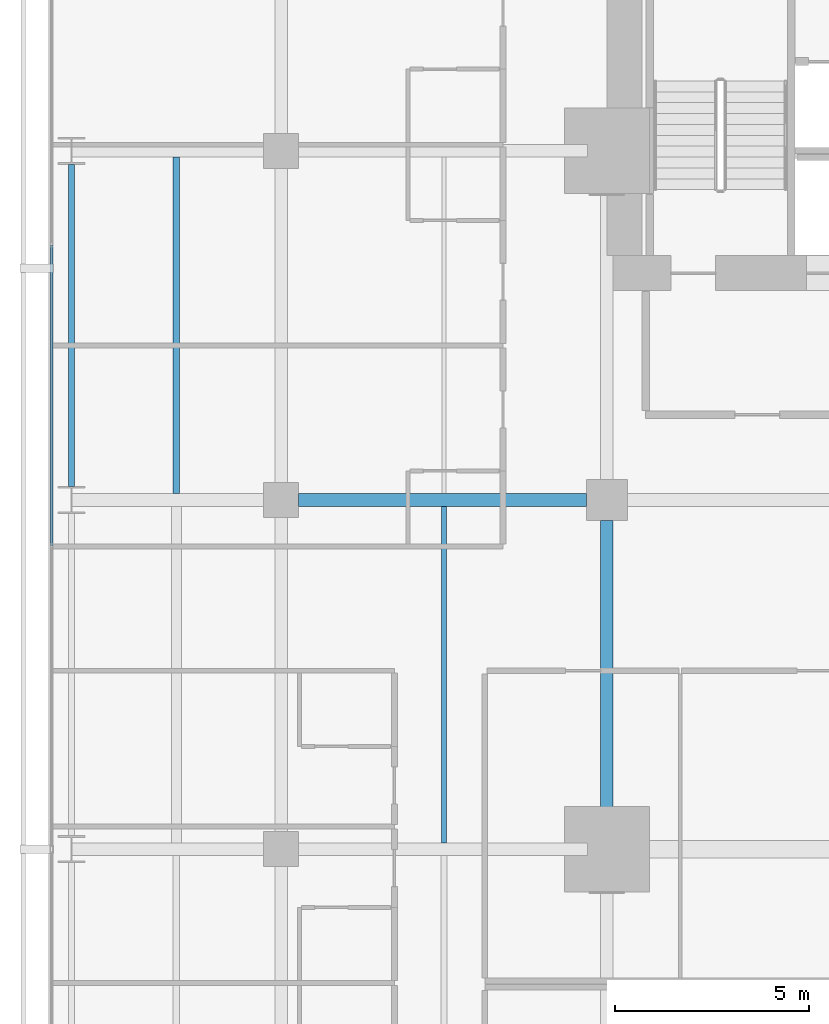
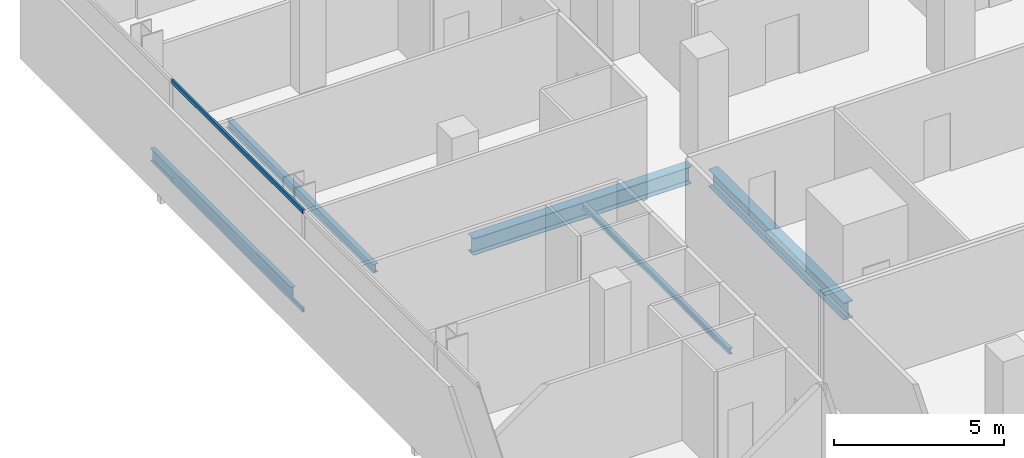
# One storey, part 22 of 41: 5 beams, 2 members, 1 element without a shape of its own.
"""IFC4 building model written with IfcOpenShell, lengths in metres."""

from ifc_helpers import new_model, si_unit, direction, frame, origin, origin_2d, place, context, subcontext, project, spatial, hollow_rectangle, i_section, extrude, material, layer, layer_set, material_profile, profile_set, type_object, element, aggregate, save


model = new_model("IFC4")

# Units and contexts
model_context = context("Model", 3, precision=1e-05, world=origin(), true_north=direction((0.0, 1.0)))
body_context = subcontext(model_context, "Body", "Model", "MODEL_VIEW")
ifc_project = project(units=[si_unit("LENGTHUNIT", "METRE"), si_unit("AREAUNIT", "SQUARE_METRE"), si_unit("VOLUMEUNIT", "CUBIC_METRE"), si_unit("PLANEANGLEUNIT", "RADIAN"), si_unit("MASSUNIT", "GRAM", prefix="KILO")], contexts=[model_context])

# Site, building, storey
site_placement = place(None, origin())
site = spatial("IfcSite", under=ifc_project, at=site_placement, CompositionType="ELEMENT")
building_placement = place(site_placement, origin())
building = spatial("IfcBuilding", under=site, at=building_placement, Name="Maruvema Waterfront Hotel and Observation Tower", CompositionType="ELEMENT")
storey_placement = place(building_placement, frame((0.0, 0.0, 84.699951171875)))
storey = spatial("IfcBuildingStorey", under=building, at=storey_placement, Name="L20", CompositionType="ELEMENT", Elevation=84.699951171875)

# Curtain wall, members
ifc_material_1 = material(Name="Anodised bronze aluminium and solar-control low-E IGU", Category="aluminium")
ifc_layer = layer(ifc_material_1, 0.159912109375, Name="Zone 1 Bronze Inner Thermal Curtain Wall System CW-02")
ifc_layer_set = layer_set([ifc_layer], Name="Anodised bronze aluminium and solar-control low-E IGU")
curtain_wall_type = type_object("IfcCurtainWallType", Name="Zone 1 Bronze Inner Thermal Curtain Wall System CW-02", PredefinedType="USERDEFINED", material=ifc_layer_set)
curtain_wall_placement = place(storey_placement, origin())
curtain_wall = element("IfcCurtainWall", 1, at=curtain_wall_placement, inside=storey, type_object=curtain_wall_type, Name="L20 Curtain Wall CW-L20-W", ObjectType="UNITISED CURTAIN WALL", PredefinedType="USERDEFINED")
ifc_material_2 = material(Name="Anodised architectural bronze aluminium", Category="aluminium")
ifc_material_profile_1 = material_profile(ifc_material_2, hollow_rectangle(XDim=0.070068359375, YDim=0.14990234375, WallThickness=0.00390625, at=origin_2d()), Name="ALU-T70x150")
ifc_profile_set_1 = profile_set([ifc_material_profile_1], Name="Anodised architectural bronze aluminium")
member_type = type_object("IfcMemberType", Name="Curtain Wall Horizontal Transom ALU-T70x150", PredefinedType="USERDEFINED", material=ifc_profile_set_1)
member_1_placement = place(storey_placement, frame((10.8798828125, 42.570068359375, 0.030029296875), z_axis=(0.0, -1.0, 0.0), x_axis=(1.0, 0.0, 0.0)))
member_1 = element("IfcMember", 2, at=member_1_placement, type_object=member_type, Name="CW-02 transom 2.1", ObjectType="TRANSOM", PredefinedType="USERDEFINED", context=body_context, shape_type="SweptSolid", body=[
    extrude(hollow_rectangle(XDim=0.070068359375, YDim=0.14990234375, WallThickness=0.00390625, at=origin_2d()), origin(), (0.0, 0.0, 1.0), 7.739990234375),
])
member_2_placement = place(storey_placement, frame((10.8798828125, 42.570068359375, 3.580078125), z_axis=(0.0, -1.0, 0.0), x_axis=(1.0, 0.0, 0.0)))
member_2 = element("IfcMember", 3, at=member_2_placement, type_object=member_type, Name="CW-02 transom 2.2", ObjectType="TRANSOM", PredefinedType="USERDEFINED", context=body_context, shape_type="SweptSolid", body=[
    extrude(hollow_rectangle(XDim=0.070068359375, YDim=0.14990234375, WallThickness=0.00390625, at=origin_2d()), origin(), (0.0, 0.0, 1.0), 7.739990234375),
])
aggregate(curtain_wall, [member_1, member_2])

# Beams
ifc_material_3 = material(Name="Steel ASTM A572 Grade 50", Category="steel")
ifc_material_profile_2 = material_profile(ifc_material_3, i_section(OverallWidth=0.153076171875, OverallDepth=0.455078125, WebThickness=0.008056640625, FlangeThickness=0.01318359375, FilletRadius=0.014892578125, at=origin_2d()), Name="W460x60.0")
ifc_profile_set_2 = profile_set([ifc_material_profile_2], Name="Steel ASTM A572 Grade 50")
beam_type_1 = type_object("IfcBeamType", Name="Perimeter Spandrel Beam W460x60.0", PredefinedType="SPANDREL", material=ifc_profile_set_2)
beam_1_placement = place(storey_placement, frame((11.39990234375, 36.35009765625, -0.467529296875), z_axis=(0.0, 1.0, 0.0), x_axis=(-1.0, 0.0, 0.0)))
element("IfcBeam", 4, at=beam_1_placement, inside=storey, type_object=beam_type_1, Name="L20 Floor Girder NS-04", PredefinedType="SPANDREL", context=body_context, shape_type="SweptSolid", body=[
    extrude(i_section(OverallWidth=0.153076171875, OverallDepth=0.455078125, WebThickness=0.008056640625, FlangeThickness=0.01318359375, FilletRadius=0.014892578125, at=origin_2d()), origin(), (0.0, 0.0, 1.0), 8.2998046875),
])
ifc_material_4 = material(Name="Steel ASTM A572 Grade 50", Category="steel")
ifc_material_profile_3 = material_profile(ifc_material_4, i_section(OverallWidth=0.323974609375, OverallDepth=0.611083984375, WebThickness=0.0126953125, FlangeThickness=0.01904296875, FilletRadius=0.01806640625, at=origin_2d()), Name="W610x155.0")
ifc_profile_set_3 = profile_set([ifc_material_profile_3], Name="Steel ASTM A572 Grade 50")
beam_type_2 = type_object("IfcBeamType", Name="Primary Floor Girder W610x155.0", PredefinedType="BEAM", material=ifc_profile_set_3)
beam_2_placement = place(storey_placement, frame((17.25, 36.0, -0.54541015625), z_axis=(1.0, 0.0, 0.0), x_axis=(0.0, 1.0, 0.0)))
element("IfcBeam", 5, at=beam_2_placement, inside=storey, type_object=beam_type_2, Name="L20 Floor Girder EW-26", PredefinedType="BEAM", context=body_context, shape_type="SweptSolid", body=[
    extrude(i_section(OverallWidth=0.323974609375, OverallDepth=0.611083984375, WebThickness=0.0126953125, FlangeThickness=0.01904296875, FilletRadius=0.01806640625, at=origin_2d()), origin(), (0.0, 0.0, 1.0), 7.425048828125),
])
beam_3_placement = place(storey_placement, frame((25.199951171875, 27.5, -0.54541015625), z_axis=(0.0, 1.0, 0.0), x_axis=(-1.0, 0.0, 0.0)))
element("IfcBeam", 6, at=beam_3_placement, inside=storey, type_object=beam_type_2, Name="L20 Floor Girder NS-14", PredefinedType="BEAM", context=body_context, shape_type="SweptSolid", body=[
    extrude(i_section(OverallWidth=0.323974609375, OverallDepth=0.611083984375, WebThickness=0.0126953125, FlangeThickness=0.01904296875, FilletRadius=0.01806640625, at=origin_2d()), origin(), (0.0, 0.0, 1.0), 7.97509765625),
])
ifc_material_5 = material(Name="Steel ASTM A572 Grade 50", Category="steel")
ifc_material_profile_4 = material_profile(ifc_material_5, i_section(OverallWidth=0.133056640625, OverallDepth=0.20703125, WebThickness=0.005859375, FlangeThickness=0.00830078125, FilletRadius=0.010009765625, at=origin_2d()), Name="W200x26.6")
ifc_profile_set_4 = profile_set([ifc_material_profile_4], Name="Steel ASTM A572 Grade 50")
beam_type_3 = type_object("IfcBeamType", Name="Secondary Floor Joist W200x26.6", PredefinedType="JOIST", material=ifc_profile_set_4)
beam_4_placement = place(storey_placement, frame((21.0, 27.162109375, -0.343505859375), z_axis=(0.0, 1.0, 0.0), x_axis=(-1.0, 0.0, 0.0)))
element("IfcBeam", 7, at=beam_4_placement, inside=storey, type_object=beam_type_3, Name="L20 Secondary Floor Joist JS-08", PredefinedType="JOIST", context=body_context, shape_type="SweptSolid", body=[
    extrude(i_section(OverallWidth=0.133056640625, OverallDepth=0.20703125, WebThickness=0.005859375, FlangeThickness=0.00830078125, FilletRadius=0.010009765625, at=origin_2d()), origin(), (0.0, 0.0, 1.0), 8.67578125),
])
ifc_material_6 = material(Name="Steel ASTM A572 Grade 50", Category="steel")
ifc_material_profile_5 = material_profile(ifc_material_6, i_section(OverallWidth=0.1669921875, OverallDepth=0.31689453125, WebThickness=0.007568359375, FlangeThickness=0.01318359375, FilletRadius=0.012939453125, at=origin_2d()), Name="W310x52.0")
ifc_profile_set_5 = profile_set([ifc_material_profile_5], Name="Steel ASTM A572 Grade 50")
beam_type_4 = type_object("IfcBeamType", Name="Secondary Floor Joist W310x52.0", PredefinedType="JOIST", material=ifc_profile_set_5)
beam_5_placement = place(storey_placement, frame((14.10009765625, 36.162109375, -0.3984375), z_axis=(0.0, 1.0, 0.0), x_axis=(-1.0, 0.0, 0.0)))
element("IfcBeam", 8, at=beam_5_placement, inside=storey, type_object=beam_type_4, Name="L20 Secondary Floor Joist JS-04", PredefinedType="JOIST", context=body_context, shape_type="SweptSolid", body=[
    extrude(i_section(OverallWidth=0.1669921875, OverallDepth=0.31689453125, WebThickness=0.007568359375, FlangeThickness=0.01318359375, FilletRadius=0.012939453125, at=origin_2d()), origin(), (0.0, 0.0, 1.0), 8.67578125),
])

save(model, "model.ifc")
